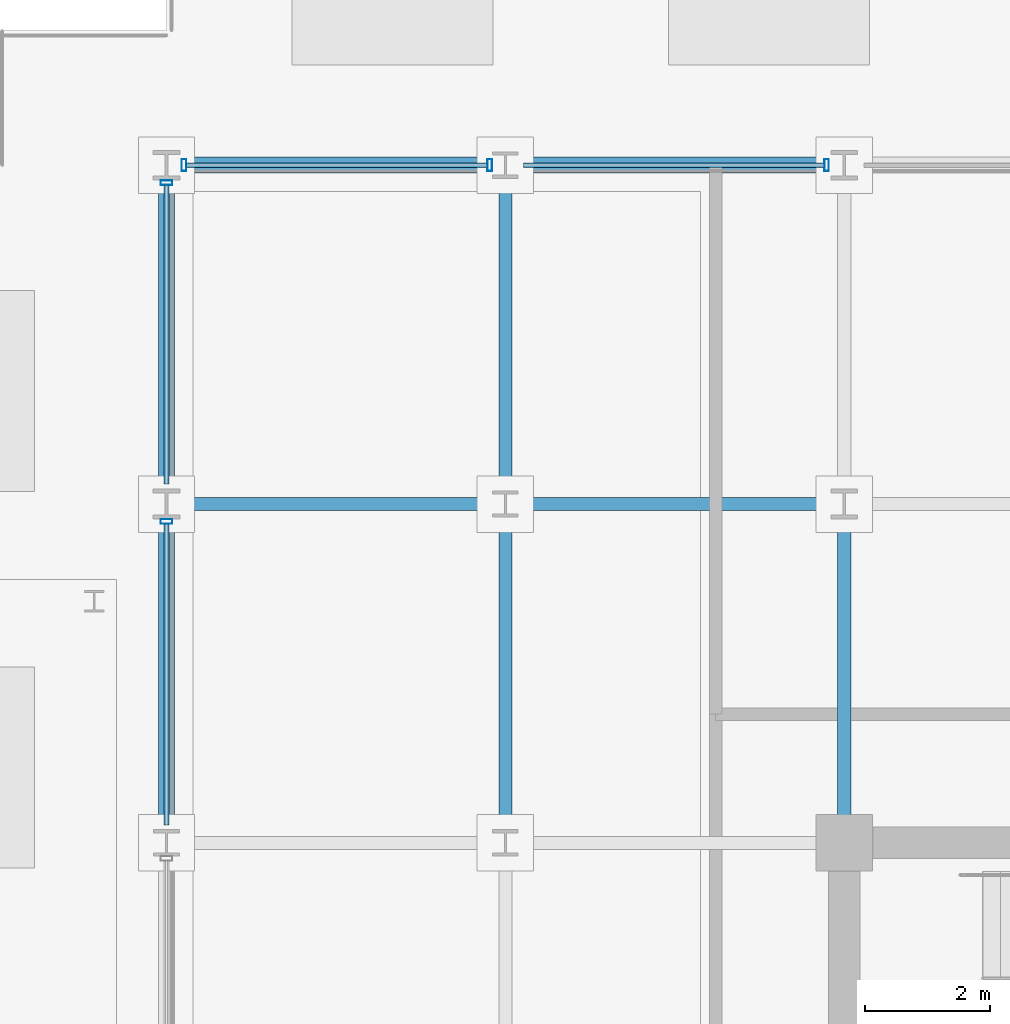
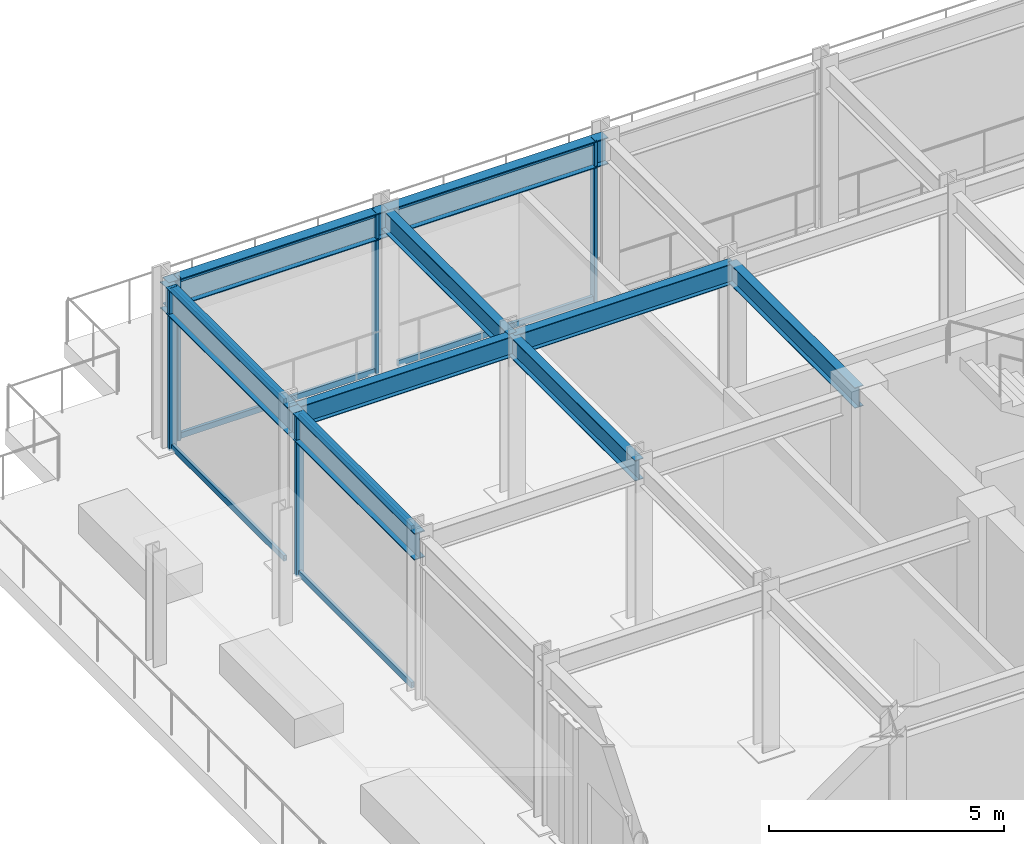
# One storey, part 9 of 22: 13 members, 9 beams, 2 elements without a shape of their own.
"""IFC4 building model written with IfcOpenShell, lengths in metres."""

import ifcopenshell
import ifcopenshell.guid

model = None  # the IFC model being written
_history = None  # IfcOwnerHistory: only IFC2X3 demands one
_inside = {}  # id of a spatial element -> (the spatial element, [elements in it])
_under = {}  # id of a project, library or spatial element -> (it, [spatial elements below it])
_declared = {}  # id of a project -> (the project, [libraries it declares])
_typed = {}  # id of a type object -> (the type object, [elements of that type])
_made_of = {}  # id of a material, layer set ... -> (it, [elements and type objects made of it])


def new_model(schema):
    """Start an empty IFC model of exactly this schema.

    Asked for "IFC4X3", IfcOpenShell would pick the latest addendum, in which some entities
    have other attributes; the version numbers below select the first issue.
    IFC2X3 requires an IfcOwnerHistory on every rooted entity: one is made here for all.
    """
    global model, _history
    if schema == "IFC4X3":
        model = ifcopenshell.file(schema_version=(4, 3, 0, 0))
    else:
        model = ifcopenshell.file(schema=schema)
    _inside.clear()
    _under.clear()
    _declared.clear()
    _typed.clear()
    _made_of.clear()
    _history = None
    if model.schema == "IFC2X3":
        org = make("IfcOrganization", Name="unknown")
        user = make(
            "IfcPersonAndOrganization",
            ThePerson=make("IfcPerson", FamilyName="unknown"),
            TheOrganization=org,
        )
        app = make(
            "IfcApplication",
            ApplicationDeveloper=org,
            Version="unknown",
            ApplicationFullName="unknown",
            ApplicationIdentifier="unknown",
        )
        _history = make(
            "IfcOwnerHistory",
            OwningUser=user,
            OwningApplication=app,
            ChangeAction="ADDED",
            CreationDate=0,
        )
    return model


def make(cls, **values):
    """One entity of the class cls with the attributes given. An attribute that is None is left unset."""
    return model.create_entity(
        cls, **{name: value for name, value in values.items() if value is not None}
    )


def rooted(cls, **values):
    """An entity with a GlobalId (a new one), such as an element, a storey or a relation."""
    return make(cls, GlobalId=ifcopenshell.guid.new(), OwnerHistory=_history, **values)


def si_unit(unit_type, name, prefix=None):
    """IfcSIUnit, for example si_unit("LENGTHUNIT", "METRE", prefix="MILLI")."""
    return make("IfcSIUnit", UnitType=unit_type, Prefix=prefix, Name=name)


def assignment(units):
    """IfcUnitAssignment: the units of a project."""
    return None if units is None else make("IfcUnitAssignment", Units=units)


def point(xyz):
    """IfcCartesianPoint."""
    return None if xyz is None else make("IfcCartesianPoint", Coordinates=xyz)


def direction(xyz):
    """IfcDirection."""
    return None if xyz is None else make("IfcDirection", DirectionRatios=xyz)


def frame(location, z_axis=None, x_axis=None):
    """IfcAxis2Placement3D, a coordinate frame: its origin and axes. An axis left out is left unset."""
    return make(
        "IfcAxis2Placement3D",
        Location=point(location),
        Axis=direction(z_axis),
        RefDirection=direction(x_axis),
    )


def frame_2d(location, x_axis=None):
    """IfcAxis2Placement2D, a coordinate frame in the plane: its origin and x axis."""
    return make(
        "IfcAxis2Placement2D", Location=point(location), RefDirection=direction(x_axis)
    )


def origin():
    """The frame at (0, 0, 0) with its axes left unset."""
    return frame((0.0, 0.0, 0.0))


def origin_2d():
    """The frame at (0, 0) in the plane with its x axis left unset."""
    return frame_2d((0.0, 0.0))


def place(relative_to, where):
    """IfcLocalPlacement: puts the frame where relative to a parent placement (None: the world)."""
    return make(
        "IfcLocalPlacement", PlacementRelTo=relative_to, RelativePlacement=where
    )


def context(
    kind, dimensions, precision=None, world=None, true_north=None, identifier=None
):
    """IfcGeometricRepresentationContext, for example the 3D "Model" context."""
    return make(
        "IfcGeometricRepresentationContext",
        ContextIdentifier=identifier,
        ContextType=kind,
        CoordinateSpaceDimension=dimensions,
        Precision=precision,
        WorldCoordinateSystem=world,
        TrueNorth=true_north,
    )


def subcontext(parent, identifier, kind, view, scale=None):
    """IfcGeometricRepresentationSubContext, for example "Body" below "Model"."""
    return make(
        "IfcGeometricRepresentationSubContext",
        ContextIdentifier=identifier,
        ContextType=kind,
        ParentContext=parent,
        TargetScale=scale,
        TargetView=view,
    )


def project(units=None, contexts=None):
    """IfcProject with its units and contexts."""
    return rooted(
        "IfcProject",
        Name="project",
        RepresentationContexts=contexts,
        UnitsInContext=assignment(units),
    )


def spatial(cls, under=None, at=None, **own):
    """A site, building, storey or space (cls), placed at a placement, below another one or the project."""
    s = rooted(cls, ObjectPlacement=at, **own)
    if under is not None:
        _under.setdefault(under.id(), (under, []))[1].append(s)
    return s


def profile(cls, at=None, kind="AREA", **sizes):
    """A parametric profile (cls). Its sizes go by their IFC names, for example OverallWidth=200.0."""
    return make(cls, ProfileType=kind, Position=at, **sizes)


def hollow_rectangle(**sizes):
    """IfcRectangleHollowProfileDef."""
    return profile("IfcRectangleHollowProfileDef", **sizes)


def i_section(**sizes):
    """IfcIShapeProfileDef."""
    return profile("IfcIShapeProfileDef", **sizes)


def extrude(swept, where, along, depth):
    """IfcExtrudedAreaSolid: the profile swept, set in the frame where, extruded along a direction by depth."""
    return make(
        "IfcExtrudedAreaSolid",
        SweptArea=swept,
        Position=where,
        ExtrudedDirection=direction(along),
        Depth=depth,
    )


def shape(context_of_items, identifier, shape_type, items):
    """IfcShapeRepresentation: the items that make up one representation, for example the "Body"."""
    return make(
        "IfcShapeRepresentation",
        ContextOfItems=context_of_items,
        RepresentationIdentifier=identifier,
        RepresentationType=shape_type,
        Items=items,
    )


def material(Name=None, Category=None):
    """IfcMaterial."""
    return make("IfcMaterial", Name=Name, Category=Category)


def layer(
    of_material, thickness, ventilated=None, Name=None, Category=None, Priority=None
):
    """IfcMaterialLayer: one layer of a wall or slab, of a material (None: an air gap)."""
    return make(
        "IfcMaterialLayer",
        Material=of_material,
        LayerThickness=thickness,
        IsVentilated=ventilated,
        Name=Name,
        Category=Category,
        Priority=Priority,
    )


def layer_set(layers, Name=None):
    """IfcMaterialLayerSet."""
    return make("IfcMaterialLayerSet", MaterialLayers=layers, LayerSetName=Name)


def material_profile(
    of_material, cross_section, Name=None, Category=None, Priority=None
):
    """IfcMaterialProfile: a cross section and its material."""
    return make(
        "IfcMaterialProfile",
        Name=Name,
        Material=of_material,
        Profile=cross_section,
        Priority=Priority,
        Category=Category,
    )


def profile_set(profiles, Name=None, composite=None):
    """IfcMaterialProfileSet."""
    return make(
        "IfcMaterialProfileSet",
        Name=Name,
        MaterialProfiles=profiles,
        CompositeProfile=composite,
    )


def made_of(thing, what):
    """Note that an element or type object is made of a material, layer set ...; save() writes the relation."""
    if what is not None:
        _made_of.setdefault(what.id(), (what, []))[1].append(thing)
    return thing


def type_object(cls, material=None, **own):
    """A type object (cls), such as IfcWallType, which elements share."""
    return made_of(rooted(cls, **own), material)


def element(
    cls,
    number,
    at=None,
    inside=None,
    cuts=None,
    type_object=None,
    material=None,
    context=None,
    identifier="Body",
    shape_type=None,
    held_by="IfcProductDefinitionShape",
    body=None,
    shapes=None,
    **own,
):
    """One element of the class cls, such as IfcWall. Its Tag is "e" and its number.

    at: its placement. inside: the storey or other place that contains it. cuts: it is an
    opening in that element (IfcRelVoidsElement). A single representation is given by context,
    identifier, shape_type and body (its items); several are given by shapes. held_by: the class
    of the entity that holds the representations. save() writes the other relations.
    """
    e = rooted(cls, Tag="e%d" % number, ObjectPlacement=at, **own)
    if body is not None:
        shapes = [shape(context, identifier, shape_type, body)]
    if shapes is not None:
        e.Representation = make(held_by, Representations=shapes)
    if inside is not None:
        _inside.setdefault(inside.id(), (inside, []))[1].append(e)
    if cuts is not None:
        rooted(
            "IfcRelVoidsElement", RelatingBuildingElement=cuts, RelatedOpeningElement=e
        )
    if type_object is not None:
        _typed.setdefault(type_object.id(), (type_object, []))[1].append(e)
    return made_of(e, material)


def aggregate(whole, parts):
    """IfcRelAggregates: a whole, such as a stair, and the parts it consists of."""
    return rooted("IfcRelAggregates", RelatingObject=whole, RelatedObjects=parts)


def save(model, path):
    """Write the relations noted so far, then the file.

    IfcRelAggregates (storeys below a building ...), IfcRelContainedInSpatialStructure (elements
    in a storey), IfcRelDefinesByType, IfcRelAssociatesMaterial and IfcRelDeclares: one each for
    every whole, place, type object, material and project.
    """
    for whole, parts in _under.values():
        aggregate(whole, parts)
    for where, things in _inside.values():
        rooted(
            "IfcRelContainedInSpatialStructure",
            RelatedElements=things,
            RelatingStructure=where,
        )
    for kind, things in _typed.values():
        rooted("IfcRelDefinesByType", RelatedObjects=things, RelatingType=kind)
    for what, things in _made_of.values():
        rooted("IfcRelAssociatesMaterial", RelatedObjects=things, RelatingMaterial=what)
    for by, libraries in _declared.values():
        rooted("IfcRelDeclares", RelatingContext=by, RelatedDefinitions=libraries)
    model.write(path)


model = new_model("IFC4")

# Units and contexts
model_context = context("Model", 3, precision=1e-05, world=origin(), true_north=direction((0.0, 1.0)))
body_context = subcontext(model_context, "Body", "Model", "MODEL_VIEW")
ifc_project = project(units=[si_unit("LENGTHUNIT", "METRE"), si_unit("AREAUNIT", "SQUARE_METRE"), si_unit("VOLUMEUNIT", "CUBIC_METRE"), si_unit("PLANEANGLEUNIT", "RADIAN"), si_unit("MASSUNIT", "GRAM", prefix="KILO")], contexts=[model_context])

# Site, building, storey
site_placement = place(None, origin())
site = spatial("IfcSite", under=ifc_project, at=site_placement, CompositionType="ELEMENT")
building_placement = place(site_placement, origin())
building = spatial("IfcBuilding", under=site, at=building_placement, Name="Surkhivell Harbour Commons", CompositionType="ELEMENT")
storey_placement = place(building_placement, frame((0.0, 0.0, 337.5)))
storey = spatial("IfcBuildingStorey", under=building, at=storey_placement, Name="L88", CompositionType="ELEMENT", Elevation=337.5)

# Beams
ifc_material_1 = material(Name="Steel S355", Category="steel")
ifc_material_profile_1 = material_profile(ifc_material_1, i_section(OverallWidth=0.2099609375, OverallDepth=0.537109375, WebThickness=0.0107421875, FlangeThickness=0.017333984375, at=origin_2d()), Name="UB533x210x101")
ifc_profile_set_1 = profile_set([ifc_material_profile_1], Name="Steel S355")
beam_type_1 = type_object("IfcBeamType", Name="BM-GRD-533B", PredefinedType="BEAM", material=ifc_profile_set_1)
beam_1_placement = place(storey_placement, frame((-21.60009765625, 16.199951171875, 3.951416015625), z_axis=(1.0, 0.0, 0.0), x_axis=(0.0, 1.0, 0.0)))
element("IfcBeam", 1, at=beam_1_placement, inside=storey, type_object=beam_type_1, Name="L88 Floor Girder (-21.6,16.2)", PredefinedType="BEAM", context=body_context, shape_type="SweptSolid", body=[
    extrude(i_section(OverallWidth=0.2099609375, OverallDepth=0.537109375, WebThickness=0.0107421875, FlangeThickness=0.017333984375, at=origin_2d()), origin(), (0.0, 0.0, 1.0), 5.400146484375),
])
beam_2_placement = place(storey_placement, frame((-16.199951171875, 10.800048828125, 3.951416015625), z_axis=(0.0, 1.0, 0.0), x_axis=(-1.0, 0.0, 0.0)))
element("IfcBeam", 2, at=beam_2_placement, inside=storey, type_object=beam_type_1, Name="L88 Floor Girder (-16.2,10.8)", PredefinedType="BEAM", context=body_context, shape_type="SweptSolid", body=[
    extrude(i_section(OverallWidth=0.2099609375, OverallDepth=0.537109375, WebThickness=0.0107421875, FlangeThickness=0.017333984375, at=origin_2d()), origin(), (0.0, 0.0, 1.0), 5.39990234375),
])
beam_3_placement = place(storey_placement, frame((-16.199951171875, 16.199951171875, 3.951416015625), z_axis=(0.0, 1.0, 0.0), x_axis=(-1.0, 0.0, 0.0)))
element("IfcBeam", 3, at=beam_3_placement, inside=storey, type_object=beam_type_1, Name="L88 Floor Girder (-16.2,16.2)", PredefinedType="BEAM", context=body_context, shape_type="SweptSolid", body=[
    extrude(i_section(OverallWidth=0.2099609375, OverallDepth=0.537109375, WebThickness=0.0107421875, FlangeThickness=0.017333984375, at=origin_2d()), origin(), (0.0, 0.0, 1.0), 5.400146484375),
])
for number, where, z_axis, x_axis, name in (
    (4, (-16.199951171875, 16.199951171875, 3.951416015625), (1.0, 0.0, 0.0), (0.0, 1.0, 0.0), "L88 Floor Girder (-16.2,16.2)"),
    (5, (-10.800048828125, 10.800048828125, 3.951416015625), (0.0, 1.0, 0.0), (-1.0, 0.0, 0.0), "L88 Floor Girder (-10.8,10.8)"),
):
    element("IfcBeam", number, at=place(storey_placement, frame(where, z_axis=z_axis, x_axis=x_axis)), inside=storey, type_object=beam_type_1, Name=name, PredefinedType="BEAM", context=body_context, shape_type="SweptSolid", body=[
        extrude(i_section(OverallWidth=0.2099609375, OverallDepth=0.537109375, WebThickness=0.0107421875, FlangeThickness=0.017333984375, at=origin_2d()), origin(), (0.0, 0.0, 1.0), 5.39990234375),
    ])
ifc_material_profile_2 = material_profile(ifc_material_1, i_section(OverallWidth=0.256103515625, OverallDepth=0.693115234375, WebThickness=0.014404296875, FlangeThickness=0.023681640625, at=origin_2d()), Name="UB686x254x170")
ifc_profile_set_2 = profile_set([ifc_material_profile_2], Name="Steel S355")
beam_type_2 = type_object("IfcBeamType", Name="BM-SPN-686", PredefinedType="SPANDREL", material=ifc_profile_set_2)
beam_4_placement = place(storey_placement, frame((-21.60009765625, 10.800048828125, 3.87353515625), z_axis=(0.0, 1.0, 0.0), x_axis=(-1.0, 0.0, 0.0)))
element("IfcBeam", 6, at=beam_4_placement, inside=storey, type_object=beam_type_2, Name="L88 Tube Spandrel (-21.6,10.8)", PredefinedType="SPANDREL", context=body_context, shape_type="SweptSolid", body=[
    extrude(i_section(OverallWidth=0.256103515625, OverallDepth=0.693115234375, WebThickness=0.014404296875, FlangeThickness=0.023681640625, at=origin_2d()), origin(), (0.0, 0.0, 1.0), 5.39990234375),
])
for number, where, z_axis, x_axis, name in (
    (7, (-21.60009765625, 16.199951171875, 3.87353515625), (0.0, 1.0, 0.0), (-1.0, 0.0, 0.0), "L88 Tube Spandrel (-21.6,16.2)"),
    (8, (-21.60009765625, 21.60009765625, 3.87353515625), (1.0, 0.0, 0.0), (0.0, 1.0, 0.0), "L88 Tube Spandrel (-21.6,21.6)"),
):
    element("IfcBeam", number, at=place(storey_placement, frame(where, z_axis=z_axis, x_axis=x_axis)), inside=storey, type_object=beam_type_2, Name=name, PredefinedType="SPANDREL", context=body_context, shape_type="SweptSolid", body=[
        extrude(i_section(OverallWidth=0.256103515625, OverallDepth=0.693115234375, WebThickness=0.014404296875, FlangeThickness=0.023681640625, at=origin_2d()), origin(), (0.0, 0.0, 1.0), 5.400146484375),
    ])
beam_5_placement = place(storey_placement, frame((-16.199951171875, 21.60009765625, 3.87353515625), z_axis=(1.0, 0.0, 0.0), x_axis=(0.0, 1.0, 0.0)))
element("IfcBeam", 9, at=beam_5_placement, inside=storey, type_object=beam_type_2, Name="L88 Tube Spandrel (-16.2,21.6)", PredefinedType="SPANDREL", context=body_context, shape_type="SweptSolid", body=[
    extrude(i_section(OverallWidth=0.256103515625, OverallDepth=0.693115234375, WebThickness=0.014404296875, FlangeThickness=0.023681640625, at=origin_2d()), origin(), (0.0, 0.0, 1.0), 5.39990234375),
])

# Curtain wall, members
ifc_material_2 = material(Name="Anodised pale-metal aluminium and insulated glazing", Category="aluminium")
ifc_layer = layer(ifc_material_2, 0.22998046875)
ifc_layer_set = layer_set([ifc_layer], Name="Anodised pale-metal aluminium and insulated glazing")
curtain_wall_type = type_object("IfcCurtainWallType", Name="CW-SYS-CRN", PredefinedType="NOTDEFINED", material=ifc_layer_set)
curtain_wall_1_placement = place(storey_placement, origin())
curtain_wall_1 = element("IfcCurtainWall", 10, at=curtain_wall_1_placement, inside=storey, type_object=curtain_wall_type, Name="L88 Curtain Wall CW-L88-C02", PredefinedType="NOTDEFINED")
ifc_material_3 = material(Name="Anodised pale-metal aluminium alloy 6063-T6", Category="aluminium")
ifc_material_profile_3 = material_profile(ifc_material_3, hollow_rectangle(XDim=0.074951171875, YDim=0.18994140625, WallThickness=0.00390625, at=origin_2d()), Name="ALU-MULL-75x190")
ifc_profile_set_3 = profile_set([ifc_material_profile_3], Name="Anodised pale-metal aluminium alloy 6063-T6")
member_type_1 = type_object("IfcMemberType", Name="CWM-190", PredefinedType="MULLION", material=ifc_profile_set_3)
member_1_placement = place(storey_placement, frame((-11.07958984375, 21.60009765625, 0.0), z_axis=(0.0, 0.0, 1.0), x_axis=(-1.0, 0.0, 0.0)))
member_1 = element("IfcMember", 11, at=member_1_placement, type_object=member_type_1, Name="CW-CRN mullion 5", PredefinedType="MULLION", context=body_context, shape_type="SweptSolid", body=[
    extrude(hollow_rectangle(XDim=0.074951171875, YDim=0.18994140625, WallThickness=0.00390625, at=origin_2d()), origin(), (0.0, 0.0, 1.0), 4.219970703125),
])
member_2_placement = place(storey_placement, frame((-16.449462890625, 21.60009765625, 0.0), z_axis=(0.0, 0.0, 1.0), x_axis=(-1.0, 0.0, 0.0)))
member_2 = element("IfcMember", 12, at=member_2_placement, type_object=member_type_1, Name="CW-CRN mullion 6", PredefinedType="MULLION", context=body_context, shape_type="SweptSolid", body=[
    extrude(hollow_rectangle(XDim=0.074951171875, YDim=0.18994140625, WallThickness=0.00390625, at=origin_2d()), origin(), (0.0, 0.0, 1.0), 4.219970703125),
])
member_3_placement = place(storey_placement, frame((-21.320556640625, 21.60009765625, 0.0), z_axis=(0.0, 0.0, 1.0), x_axis=(-1.0, 0.0, 0.0)))
member_3 = element("IfcMember", 13, at=member_3_placement, type_object=member_type_1, Name="CW-CRN mullion 7", PredefinedType="MULLION", context=body_context, shape_type="SweptSolid", body=[
    extrude(hollow_rectangle(XDim=0.074951171875, YDim=0.18994140625, WallThickness=0.00390625, at=origin_2d()), origin(), (0.0, 0.0, 1.0), 4.219970703125),
])

curtain_wall_2_placement = place(storey_placement, origin())
curtain_wall_2 = element("IfcCurtainWall", 14, at=curtain_wall_2_placement, inside=storey, type_object=curtain_wall_type, Name="L88 Curtain Wall CW-L88-C03S2", PredefinedType="NOTDEFINED")
member_4_placement = place(storey_placement, frame((-21.60009765625, 21.320556640625, 0.0), z_axis=(0.0, 0.0, 1.0), x_axis=(0.0, -1.0, 0.0)))
member_4 = element("IfcMember", 15, at=member_4_placement, type_object=member_type_1, Name="CW-CRN mullion 1", PredefinedType="MULLION", context=body_context, shape_type="SweptSolid", body=[
    extrude(hollow_rectangle(XDim=0.074951171875, YDim=0.18994140625, WallThickness=0.00390625, at=origin_2d()), origin(), (0.0, 0.0, 1.0), 4.219970703125),
])
member_5_placement = place(storey_placement, frame((-21.60009765625, 15.92041015625, 0.0), z_axis=(0.0, 0.0, 1.0), x_axis=(0.0, -1.0, 0.0)))
member_5 = element("IfcMember", 16, at=member_5_placement, type_object=member_type_1, Name="CW-CRN mullion 2", PredefinedType="MULLION", context=body_context, shape_type="SweptSolid", body=[
    extrude(hollow_rectangle(XDim=0.074951171875, YDim=0.18994140625, WallThickness=0.00390625, at=origin_2d()), origin(), (0.0, 0.0, 1.0), 4.219970703125),
])

# Member
ifc_material_profile_4 = material_profile(ifc_material_3, hollow_rectangle(XDim=0.074951171875, YDim=0.14990234375, WallThickness=0.00341796875, at=origin_2d()), Name="ALU-TRAN-75x150")
ifc_profile_set_4 = profile_set([ifc_material_profile_4], Name="Anodised pale-metal aluminium alloy 6063-T6")
member_type_2 = type_object("IfcMemberType", Name="CWT-150", PredefinedType="USERDEFINED", material=ifc_profile_set_4)
member_6_placement = place(storey_placement, frame((-11.116943359375, 21.60009765625, 0.074951171875), z_axis=(-1.0, 0.0, 0.0), x_axis=(0.0, -1.0, 0.0)))
member_6 = element("IfcMember", 17, at=member_6_placement, type_object=member_type_2, Name="CW-CRN transom 5.1", ObjectType="TRANSOM", PredefinedType="USERDEFINED", context=body_context, shape_type="SweptSolid", body=[
    extrude(hollow_rectangle(XDim=0.074951171875, YDim=0.14990234375, WallThickness=0.00341796875, at=origin_2d()), origin(), (0.0, 0.0, 1.0), 4.796142578125),
])

member_7_placement = place(storey_placement, frame((-11.116943359375, 21.60009765625, 4.14501953125), z_axis=(-1.0, 0.0, 0.0), x_axis=(0.0, -1.0, 0.0)))
member_7 = element("IfcMember", 18, at=member_7_placement, type_object=member_type_2, Name="CW-CRN transom 5.2", ObjectType="TRANSOM", PredefinedType="USERDEFINED", context=body_context, shape_type="SweptSolid", body=[
    extrude(hollow_rectangle(XDim=0.074951171875, YDim=0.14990234375, WallThickness=0.00341796875, at=origin_2d()), origin(), (0.0, 0.0, 1.0), 4.796142578125),
])

member_8_placement = place(storey_placement, frame((-16.487060546875, 21.60009765625, 0.074951171875), z_axis=(-1.0, 0.0, 0.0), x_axis=(0.0, -1.0, 0.0)))
member_8 = element("IfcMember", 19, at=member_8_placement, type_object=member_type_2, Name="CW-CRN transom 6.1", ObjectType="TRANSOM", PredefinedType="USERDEFINED", context=body_context, shape_type="SweptSolid", body=[
    extrude(hollow_rectangle(XDim=0.074951171875, YDim=0.14990234375, WallThickness=0.00341796875, at=origin_2d()), origin(), (0.0, 0.0, 1.0), 4.7958984375),
])

member_9_placement = place(storey_placement, frame((-16.487060546875, 21.60009765625, 4.14501953125), z_axis=(-1.0, 0.0, 0.0), x_axis=(0.0, -1.0, 0.0)))
member_9 = element("IfcMember", 20, at=member_9_placement, type_object=member_type_2, Name="CW-CRN transom 6.2", ObjectType="TRANSOM", PredefinedType="USERDEFINED", context=body_context, shape_type="SweptSolid", body=[
    extrude(hollow_rectangle(XDim=0.074951171875, YDim=0.14990234375, WallThickness=0.00341796875, at=origin_2d()), origin(), (0.0, 0.0, 1.0), 4.7958984375),
])

aggregate(curtain_wall_1, [member_1, member_6, member_7, member_2, member_3, member_8, member_9])

member_10_placement = place(storey_placement, frame((-21.60009765625, 21.282958984375, 0.074951171875), z_axis=(0.0, -1.0, 0.0), x_axis=(1.0, 0.0, 0.0)))
member_10 = element("IfcMember", 21, at=member_10_placement, type_object=member_type_2, Name="CW-CRN transom 1.1", ObjectType="TRANSOM", PredefinedType="USERDEFINED", context=body_context, shape_type="SweptSolid", body=[
    extrude(hollow_rectangle(XDim=0.074951171875, YDim=0.14990234375, WallThickness=0.00341796875, at=origin_2d()), origin(), (0.0, 0.0, 1.0), 4.765869140625),
])

member_11_placement = place(storey_placement, frame((-21.60009765625, 21.282958984375, 4.14501953125), z_axis=(0.0, -1.0, 0.0), x_axis=(1.0, 0.0, 0.0)))
member_11 = element("IfcMember", 22, at=member_11_placement, type_object=member_type_2, Name="CW-CRN transom 1.2", ObjectType="TRANSOM", PredefinedType="USERDEFINED", context=body_context, shape_type="SweptSolid", body=[
    extrude(hollow_rectangle(XDim=0.074951171875, YDim=0.14990234375, WallThickness=0.00341796875, at=origin_2d()), origin(), (0.0, 0.0, 1.0), 4.765869140625),
])

member_12_placement = place(storey_placement, frame((-21.60009765625, 15.883056640625, 0.074951171875), z_axis=(0.0, -1.0, 0.0), x_axis=(1.0, 0.0, 0.0)))
member_12 = element("IfcMember", 23, at=member_12_placement, type_object=member_type_2, Name="CW-CRN transom 2.1", ObjectType="TRANSOM", PredefinedType="USERDEFINED", context=body_context, shape_type="SweptSolid", body=[
    extrude(hollow_rectangle(XDim=0.074951171875, YDim=0.14990234375, WallThickness=0.00341796875, at=origin_2d()), origin(), (0.0, 0.0, 1.0), 4.796142578125),
])

member_13_placement = place(storey_placement, frame((-21.60009765625, 15.883056640625, 4.14501953125), z_axis=(0.0, -1.0, 0.0), x_axis=(1.0, 0.0, 0.0)))
member_13 = element("IfcMember", 24, at=member_13_placement, type_object=member_type_2, Name="CW-CRN transom 2.2", ObjectType="TRANSOM", PredefinedType="USERDEFINED", context=body_context, shape_type="SweptSolid", body=[
    extrude(hollow_rectangle(XDim=0.074951171875, YDim=0.14990234375, WallThickness=0.00341796875, at=origin_2d()), origin(), (0.0, 0.0, 1.0), 4.796142578125),
])

aggregate(curtain_wall_2, [member_4, member_10, member_11, member_5, member_12, member_13])

save(model, "model.ifc")
